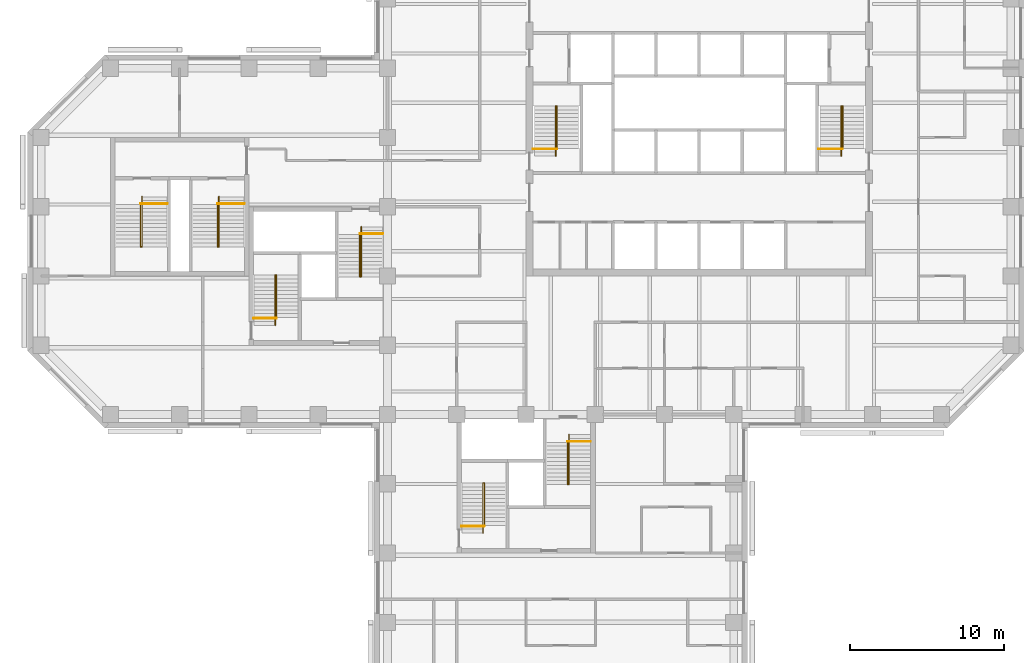
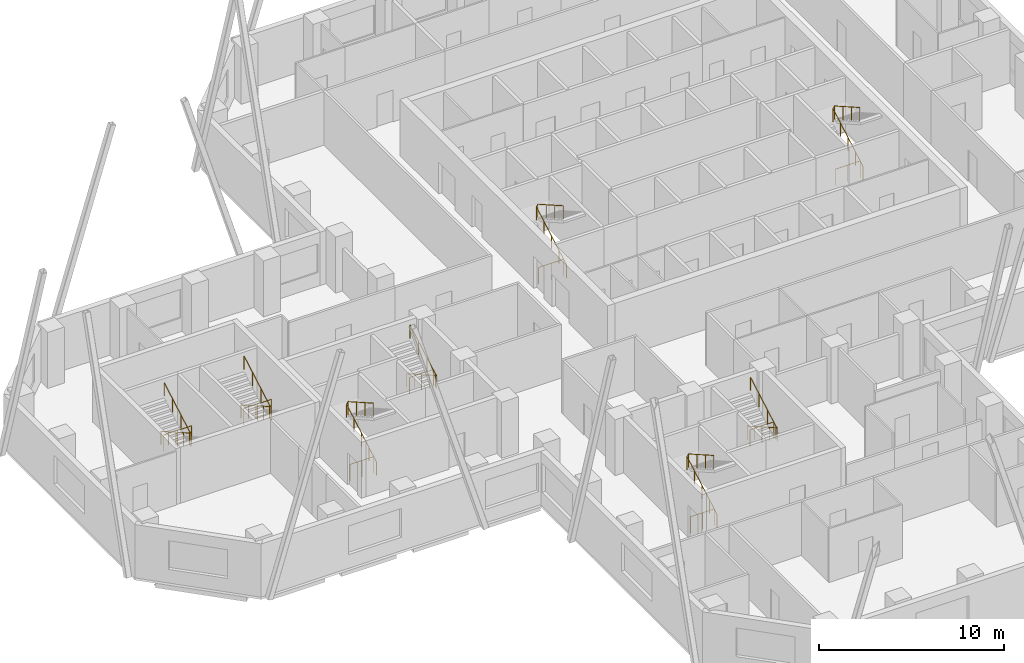
# One storey, part 10 of 10: 16 railings.
"""IFC4 building model written with IfcOpenShell, lengths in metres."""

from ifc_helpers import new_model, si_unit, direction, frame, origin, origin_2d, place, context, subcontext, project, spatial, circle, extrude, material, type_object, element, save


model = new_model("IFC4")

# Units and contexts
model_context = context("Model", 3, precision=1e-05, world=origin(), true_north=direction((0.0, 1.0)))
body_context = subcontext(model_context, "Body", "Model", "MODEL_VIEW")
ifc_project = project(units=[si_unit("LENGTHUNIT", "METRE"), si_unit("AREAUNIT", "SQUARE_METRE"), si_unit("VOLUMEUNIT", "CUBIC_METRE"), si_unit("PLANEANGLEUNIT", "RADIAN"), si_unit("MASSUNIT", "GRAM", prefix="KILO")], contexts=[model_context])

# Site, building, storey
site_placement = place(None, origin())
site = spatial("IfcSite", under=ifc_project, at=site_placement, CompositionType="ELEMENT")
building_placement = place(site_placement, origin())
building = spatial("IfcBuilding", under=site, at=building_placement, Name="Quoin Convention Tower", CompositionType="ELEMENT")
storey_placement = place(building_placement, frame((0.0, 0.0, 97.39990234375)))
storey = spatial("IfcBuildingStorey", under=building, at=storey_placement, Name="L25", CompositionType="ELEMENT", Elevation=97.39990234375)

# Railings
ifc_material = material(Name="Stainless steel", Category="steel")
railing_type_1 = type_object("IfcRailingType", Name="Stair handrail 900", PredefinedType="HANDRAIL", material=ifc_material)
railing_1_placement = place(storey_placement, frame((46.929931640625, 57.300048828125, 0.142333984375)))
element("IfcRailing", 1, at=railing_1_placement, inside=storey, type_object=railing_type_1, Name="SD1 handrail 1", PredefinedType="HANDRAIL", context=body_context, shape_type="SweptSolid", body=[
    extrude(circle(Radius=0.02392578125, at=origin_2d()), frame((0.0, 0.0, 0.8759765625), z_axis=(0.0, 0.869053504361, 0.494718108177), x_axis=(-1.0, 0.0, 0.0)), (0.0, 0.0, 1.0), 3.73974609375),
    extrude(circle(Radius=0.02392578125, at=origin_2d()), frame((0.0, 3.25, 2.72607421875), z_axis=(0.53481069233, 0.0, 0.844971906852), x_axis=(0.0, 1.0, 0.0)), (0.0, 0.0, 1.0), 0.16845703125),
    extrude(circle(Radius=0.02392578125, at=origin_2d()), frame((0.090087890625, 3.25, 2.8681640625), z_axis=(0.0, -0.869058607571, 0.494709143443), x_axis=(1.0, 0.0, 0.0)), (0.0, 0.0, 1.0), 3.164306640625),
    extrude(circle(Radius=0.02099609375, at=origin_2d()), origin(), (0.0, 0.0, 1.0), 0.851806640625),
    extrude(circle(Radius=0.02099609375, at=origin_2d()), frame((0.0, 0.8125, 0.46240234375)), (0.0, 0.0, 1.0), 0.851806640625),
    extrude(circle(Radius=0.02099609375, at=origin_2d()), frame((0.0, 1.625, 0.925048828125)), (0.0, 0.0, 1.0), 0.851806640625),
    extrude(circle(Radius=0.02099609375, at=origin_2d()), frame((0.0, 2.4375, 1.3876953125)), (0.0, 0.0, 1.0), 0.851806640625),
    extrude(circle(Radius=0.02099609375, at=origin_2d()), frame((0.0, 3.25, 1.85009765625)), (0.0, 0.0, 1.0), 0.851806640625),
    extrude(circle(Radius=0.02099609375, at=origin_2d()), frame((0.090087890625, 3.25, 1.992431640625)), (0.0, 0.0, 1.0), 0.851806640625),
    extrude(circle(Radius=0.02099609375, at=origin_2d()), frame((0.090087890625, 2.333251953125, 2.51416015625)), (0.0, 0.0, 1.0), 0.851806640625),
    extrude(circle(Radius=0.02099609375, at=origin_2d()), frame((0.090087890625, 1.416748046875, 3.0361328125)), (0.0, 0.0, 1.0), 0.851806640625),
    extrude(circle(Radius=0.02099609375, at=origin_2d()), frame((0.090087890625, 0.5, 3.557861328125)), (0.0, 0.0, 1.0), 0.851806640625),
])
railing_2_placement = place(storey_placement, frame((65.47998046875, 57.300048828125, 0.142333984375)))
element("IfcRailing", 2, at=railing_2_placement, inside=storey, type_object=railing_type_1, Name="SD2 handrail 1", PredefinedType="HANDRAIL", context=body_context, shape_type="SweptSolid", body=[
    extrude(circle(Radius=0.02392578125, at=origin_2d()), frame((0.0, 0.0, 0.8759765625), z_axis=(0.0, 0.869053504361, 0.494718108177), x_axis=(-1.0, 0.0, 0.0)), (0.0, 0.0, 1.0), 3.73974609375),
    extrude(circle(Radius=0.02392578125, at=origin_2d()), frame((0.0, 3.25, 2.72607421875), z_axis=(0.53481069233, 0.0, 0.844971906852), x_axis=(0.0, 1.0, 0.0)), (0.0, 0.0, 1.0), 0.16845703125),
    extrude(circle(Radius=0.02392578125, at=origin_2d()), frame((0.090087890625, 3.25, 2.8681640625), z_axis=(0.0, -0.869058607571, 0.494709143443), x_axis=(1.0, 0.0, 0.0)), (0.0, 0.0, 1.0), 3.164306640625),
    extrude(circle(Radius=0.02099609375, at=origin_2d()), origin(), (0.0, 0.0, 1.0), 0.851806640625),
    extrude(circle(Radius=0.02099609375, at=origin_2d()), frame((0.0, 0.8125, 0.46240234375)), (0.0, 0.0, 1.0), 0.851806640625),
    extrude(circle(Radius=0.02099609375, at=origin_2d()), frame((0.0, 1.625, 0.925048828125)), (0.0, 0.0, 1.0), 0.851806640625),
    extrude(circle(Radius=0.02099609375, at=origin_2d()), frame((0.0, 2.4375, 1.3876953125)), (0.0, 0.0, 1.0), 0.851806640625),
    extrude(circle(Radius=0.02099609375, at=origin_2d()), frame((0.0, 3.25, 1.85009765625)), (0.0, 0.0, 1.0), 0.851806640625),
    extrude(circle(Radius=0.02099609375, at=origin_2d()), frame((0.090087890625, 3.25, 1.992431640625)), (0.0, 0.0, 1.0), 0.851806640625),
    extrude(circle(Radius=0.02099609375, at=origin_2d()), frame((0.090087890625, 2.333251953125, 2.51416015625)), (0.0, 0.0, 1.0), 0.851806640625),
    extrude(circle(Radius=0.02099609375, at=origin_2d()), frame((0.090087890625, 1.416748046875, 3.0361328125)), (0.0, 0.0, 1.0), 0.851806640625),
    extrude(circle(Radius=0.02099609375, at=origin_2d()), frame((0.090087890625, 0.5, 3.557861328125)), (0.0, 0.0, 1.0), 0.851806640625),
])
railing_3_placement = place(storey_placement, frame((28.705078125, 46.300048828125, 0.142333984375)))
element("IfcRailing", 3, at=railing_3_placement, inside=storey, type_object=railing_type_1, Name="SD3 handrail 1", PredefinedType="HANDRAIL", context=body_context, shape_type="SweptSolid", body=[
    extrude(circle(Radius=0.02392578125, at=origin_2d()), frame((0.0, 0.0, 0.8759765625), z_axis=(0.0, 0.869053504361, 0.494718108177), x_axis=(-1.0, 0.0, 0.0)), (0.0, 0.0, 1.0), 3.73974609375),
    extrude(circle(Radius=0.02392578125, at=origin_2d()), frame((0.0, 3.25, 2.72607421875), z_axis=(0.533774684331, 0.0, 0.845626741753), x_axis=(0.0, 1.0, 0.0)), (0.0, 0.0, 1.0), 0.168212890625),
    extrude(circle(Radius=0.02392578125, at=origin_2d()), frame((0.08984375, 3.25, 2.8681640625), z_axis=(0.0, -0.869058607571, 0.494709143443), x_axis=(1.0, 0.0, 0.0)), (0.0, 0.0, 1.0), 3.164306640625),
    extrude(circle(Radius=0.02099609375, at=origin_2d()), origin(), (0.0, 0.0, 1.0), 0.851806640625),
    extrude(circle(Radius=0.02099609375, at=origin_2d()), frame((0.0, 0.8125, 0.46240234375)), (0.0, 0.0, 1.0), 0.851806640625),
    extrude(circle(Radius=0.02099609375, at=origin_2d()), frame((0.0, 1.625, 0.925048828125)), (0.0, 0.0, 1.0), 0.851806640625),
    extrude(circle(Radius=0.02099609375, at=origin_2d()), frame((0.0, 2.4375, 1.3876953125)), (0.0, 0.0, 1.0), 0.851806640625),
    extrude(circle(Radius=0.02099609375, at=origin_2d()), frame((0.0, 3.25, 1.85009765625)), (0.0, 0.0, 1.0), 0.851806640625),
    extrude(circle(Radius=0.02099609375, at=origin_2d()), frame((0.08984375, 3.25, 1.992431640625)), (0.0, 0.0, 1.0), 0.851806640625),
    extrude(circle(Radius=0.02099609375, at=origin_2d()), frame((0.08984375, 2.333251953125, 2.51416015625)), (0.0, 0.0, 1.0), 0.851806640625),
    extrude(circle(Radius=0.02099609375, at=origin_2d()), frame((0.08984375, 1.416748046875, 3.0361328125)), (0.0, 0.0, 1.0), 0.851806640625),
    extrude(circle(Radius=0.02099609375, at=origin_2d()), frame((0.08984375, 0.5, 3.557861328125)), (0.0, 0.0, 1.0), 0.851806640625),
])
railing_4_placement = place(storey_placement, frame((34.294921875, 52.699951171875, 0.142333984375)))
element("IfcRailing", 4, at=railing_4_placement, inside=storey, type_object=railing_type_1, Name="SD4 handrail 1", PredefinedType="HANDRAIL", context=body_context, shape_type="SweptSolid", body=[
    extrude(circle(Radius=0.02392578125, at=origin_2d()), frame((0.0, 0.0, 0.8759765625), z_axis=(0.0, -0.869053504361, 0.494718108177), x_axis=(1.0, 0.0, 0.0)), (0.0, 0.0, 1.0), 3.73974609375),
    extrude(circle(Radius=0.02392578125, at=origin_2d()), frame((0.0, -3.25, 2.72607421875), z_axis=(-0.533774684331, 0.0, 0.845626741753), x_axis=(0.0, -1.0, 0.0)), (0.0, 0.0, 1.0), 0.168212890625),
    extrude(circle(Radius=0.02392578125, at=origin_2d()), frame((-0.08984375, -3.25, 2.8681640625), z_axis=(0.0, 0.869058607571, 0.494709143443), x_axis=(-1.0, 0.0, 0.0)), (0.0, 0.0, 1.0), 3.164306640625),
    extrude(circle(Radius=0.02099609375, at=origin_2d()), origin(), (0.0, 0.0, 1.0), 0.851806640625),
    extrude(circle(Radius=0.02099609375, at=origin_2d()), frame((0.0, -0.8125, 0.46240234375)), (0.0, 0.0, 1.0), 0.851806640625),
    extrude(circle(Radius=0.02099609375, at=origin_2d()), frame((0.0, -1.625, 0.925048828125)), (0.0, 0.0, 1.0), 0.851806640625),
    extrude(circle(Radius=0.02099609375, at=origin_2d()), frame((0.0, -2.4375, 1.3876953125)), (0.0, 0.0, 1.0), 0.851806640625),
    extrude(circle(Radius=0.02099609375, at=origin_2d()), frame((0.0, -3.25, 1.85009765625)), (0.0, 0.0, 1.0), 0.851806640625),
    extrude(circle(Radius=0.02099609375, at=origin_2d()), frame((-0.08984375, -3.25, 1.992431640625)), (0.0, 0.0, 1.0), 0.851806640625),
    extrude(circle(Radius=0.02099609375, at=origin_2d()), frame((-0.08984375, -2.333251953125, 2.51416015625)), (0.0, 0.0, 1.0), 0.851806640625),
    extrude(circle(Radius=0.02099609375, at=origin_2d()), frame((-0.08984375, -1.416748046875, 3.0361328125)), (0.0, 0.0, 1.0), 0.851806640625),
    extrude(circle(Radius=0.02099609375, at=origin_2d()), frame((-0.08984375, -0.5, 3.557861328125)), (0.0, 0.0, 1.0), 0.851806640625),
])
railing_5_placement = place(storey_placement, frame((42.205078125, 32.800048828125, 0.142333984375)))
element("IfcRailing", 5, at=railing_5_placement, inside=storey, type_object=railing_type_1, Name="SD5 handrail 1", PredefinedType="HANDRAIL", context=body_context, shape_type="SweptSolid", body=[
    extrude(circle(Radius=0.02392578125, at=origin_2d()), frame((0.0, 0.0, 0.8759765625), z_axis=(0.0, 0.869053504361, 0.494718108177), x_axis=(-1.0, 0.0, 0.0)), (0.0, 0.0, 1.0), 3.73974609375),
    extrude(circle(Radius=0.02392578125, at=origin_2d()), frame((0.0, 3.25, 2.72607421875), z_axis=(0.533774684331, 0.0, 0.845626741753), x_axis=(0.0, 1.0, 0.0)), (0.0, 0.0, 1.0), 0.168212890625),
    extrude(circle(Radius=0.02392578125, at=origin_2d()), frame((0.08984375, 3.25, 2.8681640625), z_axis=(0.0, -0.869058607571, 0.494709143443), x_axis=(1.0, 0.0, 0.0)), (0.0, 0.0, 1.0), 3.164306640625),
    extrude(circle(Radius=0.02099609375, at=origin_2d()), origin(), (0.0, 0.0, 1.0), 0.851806640625),
    extrude(circle(Radius=0.02099609375, at=origin_2d()), frame((0.0, 0.8125, 0.46240234375)), (0.0, 0.0, 1.0), 0.851806640625),
    extrude(circle(Radius=0.02099609375, at=origin_2d()), frame((0.0, 1.625, 0.925048828125)), (0.0, 0.0, 1.0), 0.851806640625),
    extrude(circle(Radius=0.02099609375, at=origin_2d()), frame((0.0, 2.4375, 1.3876953125)), (0.0, 0.0, 1.0), 0.851806640625),
    extrude(circle(Radius=0.02099609375, at=origin_2d()), frame((0.0, 3.25, 1.85009765625)), (0.0, 0.0, 1.0), 0.851806640625),
    extrude(circle(Radius=0.02099609375, at=origin_2d()), frame((0.08984375, 3.25, 1.992431640625)), (0.0, 0.0, 1.0), 0.851806640625),
    extrude(circle(Radius=0.02099609375, at=origin_2d()), frame((0.08984375, 2.333251953125, 2.51416015625)), (0.0, 0.0, 1.0), 0.851806640625),
    extrude(circle(Radius=0.02099609375, at=origin_2d()), frame((0.08984375, 1.416748046875, 3.0361328125)), (0.0, 0.0, 1.0), 0.851806640625),
    extrude(circle(Radius=0.02099609375, at=origin_2d()), frame((0.08984375, 0.5, 3.557861328125)), (0.0, 0.0, 1.0), 0.851806640625),
])
railing_6_placement = place(storey_placement, frame((47.794921875, 39.199951171875, 0.142333984375)))
element("IfcRailing", 6, at=railing_6_placement, inside=storey, type_object=railing_type_1, Name="SD6 handrail 1", PredefinedType="HANDRAIL", context=body_context, shape_type="SweptSolid", body=[
    extrude(circle(Radius=0.02392578125, at=origin_2d()), frame((0.0, 0.0, 0.8759765625), z_axis=(0.0, -0.869053504361, 0.494718108177), x_axis=(1.0, 0.0, 0.0)), (0.0, 0.0, 1.0), 3.73974609375),
    extrude(circle(Radius=0.02392578125, at=origin_2d()), frame((0.0, -3.25, 2.72607421875), z_axis=(-0.533774684331, 0.0, 0.845626741753), x_axis=(0.0, -1.0, 0.0)), (0.0, 0.0, 1.0), 0.168212890625),
    extrude(circle(Radius=0.02392578125, at=origin_2d()), frame((-0.08984375, -3.25, 2.8681640625), z_axis=(0.0, 0.869058607571, 0.494709143443), x_axis=(-1.0, 0.0, 0.0)), (0.0, 0.0, 1.0), 3.164306640625),
    extrude(circle(Radius=0.02099609375, at=origin_2d()), origin(), (0.0, 0.0, 1.0), 0.851806640625),
    extrude(circle(Radius=0.02099609375, at=origin_2d()), frame((0.0, -0.8125, 0.46240234375)), (0.0, 0.0, 1.0), 0.851806640625),
    extrude(circle(Radius=0.02099609375, at=origin_2d()), frame((0.0, -1.625, 0.925048828125)), (0.0, 0.0, 1.0), 0.851806640625),
    extrude(circle(Radius=0.02099609375, at=origin_2d()), frame((0.0, -2.4375, 1.3876953125)), (0.0, 0.0, 1.0), 0.851806640625),
    extrude(circle(Radius=0.02099609375, at=origin_2d()), frame((0.0, -3.25, 1.85009765625)), (0.0, 0.0, 1.0), 0.851806640625),
    extrude(circle(Radius=0.02099609375, at=origin_2d()), frame((-0.08984375, -3.25, 1.992431640625)), (0.0, 0.0, 1.0), 0.851806640625),
    extrude(circle(Radius=0.02099609375, at=origin_2d()), frame((-0.08984375, -2.333251953125, 2.51416015625)), (0.0, 0.0, 1.0), 0.851806640625),
    extrude(circle(Radius=0.02099609375, at=origin_2d()), frame((-0.08984375, -1.416748046875, 3.0361328125)), (0.0, 0.0, 1.0), 0.851806640625),
    extrude(circle(Radius=0.02099609375, at=origin_2d()), frame((-0.08984375, -0.5, 3.557861328125)), (0.0, 0.0, 1.0), 0.851806640625),
])
railing_7_placement = place(storey_placement, frame((20.044921875, 54.64990234375, 0.142333984375)))
element("IfcRailing", 7, at=railing_7_placement, inside=storey, type_object=railing_type_1, Name="SD11 handrail 1", PredefinedType="HANDRAIL", context=body_context, shape_type="SweptSolid", body=[
    extrude(circle(Radius=0.02392578125, at=origin_2d()), frame((0.0, 0.0, 0.8759765625), z_axis=(0.0, -0.869053504361, 0.494718108177), x_axis=(1.0, 0.0, 0.0)), (0.0, 0.0, 1.0), 3.73974609375),
    extrude(circle(Radius=0.02392578125, at=origin_2d()), frame((0.0, -3.25, 2.72607421875), z_axis=(-0.533774684331, 0.0, 0.845626741753), x_axis=(0.0, -1.0, 0.0)), (0.0, 0.0, 1.0), 0.168212890625),
    extrude(circle(Radius=0.02392578125, at=origin_2d()), frame((-0.08984375, -3.25, 2.8681640625), z_axis=(0.0, 0.869058607571, 0.494709143443), x_axis=(-1.0, 0.0, 0.0)), (0.0, 0.0, 1.0), 3.164306640625),
    extrude(circle(Radius=0.02099609375, at=origin_2d()), origin(), (0.0, 0.0, 1.0), 0.851806640625),
    extrude(circle(Radius=0.02099609375, at=origin_2d()), frame((0.0, -0.8125, 0.46240234375)), (0.0, 0.0, 1.0), 0.851806640625),
    extrude(circle(Radius=0.02099609375, at=origin_2d()), frame((0.0, -1.625, 0.925048828125)), (0.0, 0.0, 1.0), 0.851806640625),
    extrude(circle(Radius=0.02099609375, at=origin_2d()), frame((0.0, -2.4375, 1.3876953125)), (0.0, 0.0, 1.0), 0.851806640625),
    extrude(circle(Radius=0.02099609375, at=origin_2d()), frame((0.0, -3.25, 1.85009765625)), (0.0, 0.0, 1.0), 0.851806640625),
    extrude(circle(Radius=0.02099609375, at=origin_2d()), frame((-0.08984375, -3.25, 1.992431640625)), (0.0, 0.0, 1.0), 0.851806640625),
    extrude(circle(Radius=0.02099609375, at=origin_2d()), frame((-0.08984375, -2.333251953125, 2.51416015625)), (0.0, 0.0, 1.0), 0.851806640625),
    extrude(circle(Radius=0.02099609375, at=origin_2d()), frame((-0.08984375, -1.416748046875, 3.0361328125)), (0.0, 0.0, 1.0), 0.851806640625),
    extrude(circle(Radius=0.02099609375, at=origin_2d()), frame((-0.08984375, -0.5, 3.557861328125)), (0.0, 0.0, 1.0), 0.851806640625),
])
railing_8_placement = place(storey_placement, frame((25.044921875, 54.64990234375, 0.142333984375)))
element("IfcRailing", 8, at=railing_8_placement, inside=storey, type_object=railing_type_1, Name="SD12 handrail 1", PredefinedType="HANDRAIL", context=body_context, shape_type="SweptSolid", body=[
    extrude(circle(Radius=0.02392578125, at=origin_2d()), frame((0.0, 0.0, 0.8759765625), z_axis=(0.0, -0.869053504361, 0.494718108177), x_axis=(1.0, 0.0, 0.0)), (0.0, 0.0, 1.0), 3.73974609375),
    extrude(circle(Radius=0.02392578125, at=origin_2d()), frame((0.0, -3.25, 2.72607421875), z_axis=(-0.533774684331, 0.0, 0.845626741753), x_axis=(0.0, -1.0, 0.0)), (0.0, 0.0, 1.0), 0.168212890625),
    extrude(circle(Radius=0.02392578125, at=origin_2d()), frame((-0.08984375, -3.25, 2.8681640625), z_axis=(0.0, 0.869058607571, 0.494709143443), x_axis=(-1.0, 0.0, 0.0)), (0.0, 0.0, 1.0), 3.164306640625),
    extrude(circle(Radius=0.02099609375, at=origin_2d()), origin(), (0.0, 0.0, 1.0), 0.851806640625),
    extrude(circle(Radius=0.02099609375, at=origin_2d()), frame((0.0, -0.8125, 0.46240234375)), (0.0, 0.0, 1.0), 0.851806640625),
    extrude(circle(Radius=0.02099609375, at=origin_2d()), frame((0.0, -1.625, 0.925048828125)), (0.0, 0.0, 1.0), 0.851806640625),
    extrude(circle(Radius=0.02099609375, at=origin_2d()), frame((0.0, -2.4375, 1.3876953125)), (0.0, 0.0, 1.0), 0.851806640625),
    extrude(circle(Radius=0.02099609375, at=origin_2d()), frame((0.0, -3.25, 1.85009765625)), (0.0, 0.0, 1.0), 0.851806640625),
    extrude(circle(Radius=0.02099609375, at=origin_2d()), frame((-0.08984375, -3.25, 1.992431640625)), (0.0, 0.0, 1.0), 0.851806640625),
    extrude(circle(Radius=0.02099609375, at=origin_2d()), frame((-0.08984375, -2.333251953125, 2.51416015625)), (0.0, 0.0, 1.0), 0.851806640625),
    extrude(circle(Radius=0.02099609375, at=origin_2d()), frame((-0.08984375, -1.416748046875, 3.0361328125)), (0.0, 0.0, 1.0), 0.851806640625),
    extrude(circle(Radius=0.02099609375, at=origin_2d()), frame((-0.08984375, -0.5, 3.557861328125)), (0.0, 0.0, 1.0), 0.851806640625),
])
railing_type_2 = type_object("IfcRailingType", Name="Stair top guard 1100", PredefinedType="GUARDRAIL", material=ifc_material)
for number, where, name in (
    (9, (45.449951171875, 57.75, 0.0), "SD1 top guard"),
    (10, (64.0, 57.75, 0.0), "SD2 top guard"),
):
    element("IfcRailing", number, at=place(storey_placement, frame(where)), inside=storey, type_object=railing_type_2, Name=name, PredefinedType="GUARDRAIL", context=body_context, shape_type="SweptSolid", body=[
        extrude(circle(Radius=0.02392578125, at=origin_2d()), frame((0.0, 0.0, 1.076171875), z_axis=(1.0, 0.0, 0.0), x_axis=(0.0, 1.0, 0.0)), (0.0, 0.0, 1.0), 1.570068359375),
        extrude(circle(Radius=0.02099609375, at=origin_2d()), origin(), (0.0, 0.0, 1.0), 1.052001953125),
        extrude(circle(Radius=0.02099609375, at=origin_2d()), frame((0.78515625, 0.0, 0.0)), (0.0, 0.0, 1.0), 1.052001953125),
        extrude(circle(Radius=0.02099609375, at=origin_2d()), frame((1.570068359375, 0.0, 0.0)), (0.0, 0.0, 1.0), 1.052001953125),
    ])
railing_9_placement = place(storey_placement, frame((27.300048828125, 46.75, 0.0)))
element("IfcRailing", 11, at=railing_9_placement, inside=storey, type_object=railing_type_2, Name="SD3 top guard", PredefinedType="GUARDRAIL", context=body_context, shape_type="SweptSolid", body=[
    extrude(circle(Radius=0.02392578125, at=origin_2d()), frame((0.0, 0.0, 1.076171875), z_axis=(1.0, 0.0, 0.0), x_axis=(0.0, 1.0, 0.0)), (0.0, 0.0, 1.0), 1.494873046875),
    extrude(circle(Radius=0.02099609375, at=origin_2d()), origin(), (0.0, 0.0, 1.0), 1.052001953125),
    extrude(circle(Radius=0.02099609375, at=origin_2d()), frame((0.74755859375, 0.0, 0.0)), (0.0, 0.0, 1.0), 1.052001953125),
    extrude(circle(Radius=0.02099609375, at=origin_2d()), frame((1.494873046875, 0.0, 0.0)), (0.0, 0.0, 1.0), 1.052001953125),
])
railing_10_placement = place(storey_placement, frame((35.699951171875, 52.25, 0.0)))
element("IfcRailing", 12, at=railing_10_placement, inside=storey, type_object=railing_type_2, Name="SD4 top guard", PredefinedType="GUARDRAIL", context=body_context, shape_type="SweptSolid", body=[
    extrude(circle(Radius=0.02392578125, at=origin_2d()), frame((0.0, 0.0, 1.076171875), z_axis=(-1.0, 0.0, 0.0), x_axis=(0.0, -1.0, 0.0)), (0.0, 0.0, 1.0), 1.494873046875),
    extrude(circle(Radius=0.02099609375, at=origin_2d()), origin(), (0.0, 0.0, 1.0), 1.052001953125),
    extrude(circle(Radius=0.02099609375, at=origin_2d()), frame((-0.74755859375, 0.0, 0.0)), (0.0, 0.0, 1.0), 1.052001953125),
    extrude(circle(Radius=0.02099609375, at=origin_2d()), frame((-1.494873046875, 0.0, 0.0)), (0.0, 0.0, 1.0), 1.052001953125),
])
railing_11_placement = place(storey_placement, frame((40.800048828125, 33.25, 0.0)))
element("IfcRailing", 13, at=railing_11_placement, inside=storey, type_object=railing_type_2, Name="SD5 top guard", PredefinedType="GUARDRAIL", context=body_context, shape_type="SweptSolid", body=[
    extrude(circle(Radius=0.02392578125, at=origin_2d()), frame((0.0, 0.0, 1.076171875), z_axis=(1.0, 0.0, 0.0), x_axis=(0.0, 1.0, 0.0)), (0.0, 0.0, 1.0), 1.494873046875),
    extrude(circle(Radius=0.02099609375, at=origin_2d()), origin(), (0.0, 0.0, 1.0), 1.052001953125),
    extrude(circle(Radius=0.02099609375, at=origin_2d()), frame((0.74755859375, 0.0, 0.0)), (0.0, 0.0, 1.0), 1.052001953125),
    extrude(circle(Radius=0.02099609375, at=origin_2d()), frame((1.494873046875, 0.0, 0.0)), (0.0, 0.0, 1.0), 1.052001953125),
])
railing_12_placement = place(storey_placement, frame((49.199951171875, 38.75, 0.0)))
element("IfcRailing", 14, at=railing_12_placement, inside=storey, type_object=railing_type_2, Name="SD6 top guard", PredefinedType="GUARDRAIL", context=body_context, shape_type="SweptSolid", body=[
    extrude(circle(Radius=0.02392578125, at=origin_2d()), frame((0.0, 0.0, 1.076171875), z_axis=(-1.0, 0.0, 0.0), x_axis=(0.0, -1.0, 0.0)), (0.0, 0.0, 1.0), 1.494873046875),
    extrude(circle(Radius=0.02099609375, at=origin_2d()), origin(), (0.0, 0.0, 1.0), 1.052001953125),
    extrude(circle(Radius=0.02099609375, at=origin_2d()), frame((-0.74755859375, 0.0, 0.0)), (0.0, 0.0, 1.0), 1.052001953125),
    extrude(circle(Radius=0.02099609375, at=origin_2d()), frame((-1.494873046875, 0.0, 0.0)), (0.0, 0.0, 1.0), 1.052001953125),
])
for number, where, name in (
    (15, (21.699951171875, 54.199951171875, 0.0), "SD11 top guard"),
    (16, (26.699951171875, 54.199951171875, 0.0), "SD12 top guard"),
):
    element("IfcRailing", number, at=place(storey_placement, frame(where)), inside=storey, type_object=railing_type_2, Name=name, PredefinedType="GUARDRAIL", context=body_context, shape_type="SweptSolid", body=[
        extrude(circle(Radius=0.02392578125, at=origin_2d()), frame((0.0, 0.0, 1.076171875), z_axis=(-1.0, 0.0, 0.0), x_axis=(0.0, -1.0, 0.0)), (0.0, 0.0, 1.0), 1.744873046875),
        extrude(circle(Radius=0.02099609375, at=origin_2d()), origin(), (0.0, 0.0, 1.0), 1.052001953125),
        extrude(circle(Radius=0.02099609375, at=origin_2d()), frame((-0.87255859375, 0.0, 0.0)), (0.0, 0.0, 1.0), 1.052001953125),
        extrude(circle(Radius=0.02099609375, at=origin_2d()), frame((-1.744873046875, 0.0, 0.0)), (0.0, 0.0, 1.0), 1.052001953125),
    ])

save(model, "model.ifc")
